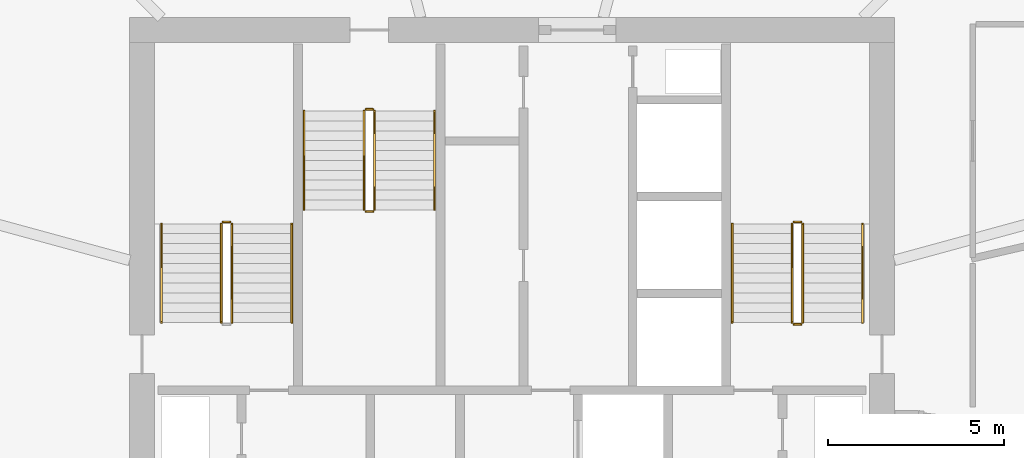
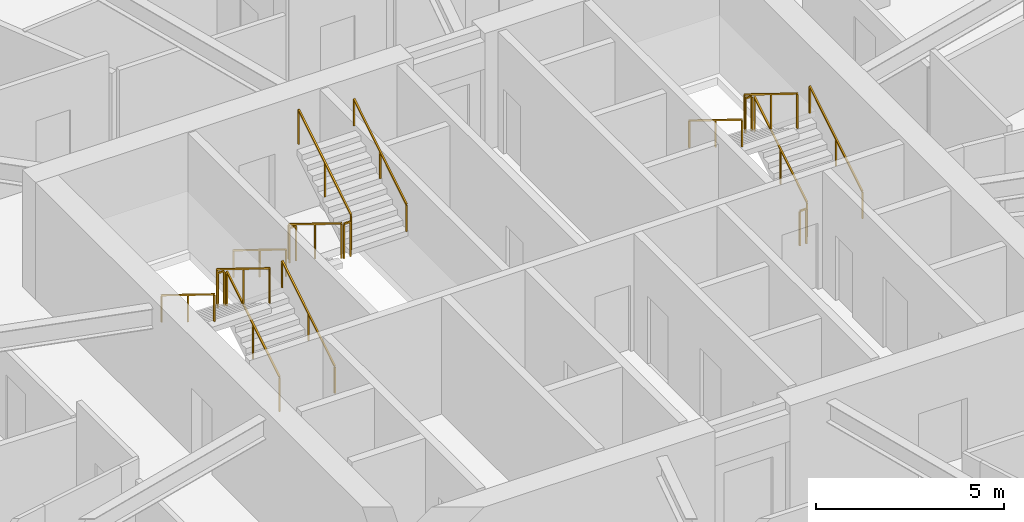
# One storey, part 26 of 27: 17 railings.
"""IFC4 building model written with IfcOpenShell, lengths in metres."""

from ifc_helpers import new_model, si_unit, direction, frame, origin, origin_2d, place, context, subcontext, project, spatial, rectangle, extrude, material, type_object, element, save


model = new_model("IFC4")

# Units and contexts
model_context = context("Model", 3, precision=1e-05, world=origin(), true_north=direction((0.0, 1.0)))
body_context = subcontext(model_context, "Body", "Model", "MODEL_VIEW")
ifc_project = project(units=[si_unit("LENGTHUNIT", "METRE"), si_unit("AREAUNIT", "SQUARE_METRE"), si_unit("VOLUMEUNIT", "CUBIC_METRE"), si_unit("PLANEANGLEUNIT", "RADIAN"), si_unit("MASSUNIT", "GRAM", prefix="KILO")], contexts=[model_context])

# Site, building, storey
site_placement = place(None, origin())
site = spatial("IfcSite", under=ifc_project, at=site_placement, CompositionType="ELEMENT")
building_placement = place(site_placement, origin())
building = spatial("IfcBuilding", under=site, at=building_placement, Name="Zuhravey Tower", CompositionType="ELEMENT")
storey_placement = place(building_placement, frame((0.0, 0.0, 215.0)))
storey = spatial("IfcBuildingStorey", under=building, at=storey_placement, Name="L54", CompositionType="ELEMENT", Elevation=215.0)

# Railings
ifc_material_1 = material(Name="Brushed stainless steel", Category="steel")
railing_type_1 = type_object("IfcRailingType", Name="Stair Wall Handrail 900", PredefinedType="HANDRAIL", material=ifc_material_1)
railing_1_placement = place(storey_placement, frame((29.75, 33.199951171875, 0.172607421875)))
element("IfcRailing", 1, at=railing_1_placement, inside=storey, type_object=railing_type_1, Name="L54 ST1 stair handrail 1", PredefinedType="HANDRAIL", context=body_context, shape_type="SweptSolid", body=[
    extrude(rectangle(XDim=0.048095703125, YDim=0.048095703125, at=origin_2d()), frame((0.0, 0.001708984375, 0.876953125), z_axis=(0.0, 0.851089632645, 0.525020415988), x_axis=(-1.0, 0.0, 0.0)), (0.0, 0.0, 1.0), 3.285888671875),
    extrude(rectangle(XDim=0.0419921875, YDim=0.0419921875, at=origin_2d()), origin(), (0.0, 0.0, 1.0), 0.849853515625),
    extrude(rectangle(XDim=0.0419921875, YDim=0.0419921875, at=origin_2d()), frame((0.0, 1.39990234375, 0.86376953125)), (0.0, 0.0, 1.0), 0.849853515625),
    extrude(rectangle(XDim=0.0419921875, YDim=0.0419921875, at=origin_2d()), frame((0.0, 2.800048828125, 1.727294921875)), (0.0, 0.0, 1.0), 0.849853515625),
])
railing_2_placement = place(storey_placement, frame((26.050048828125, 36.0, 2.07275390625)))
element("IfcRailing", 2, at=railing_2_placement, inside=storey, type_object=railing_type_1, Name="L54 ST1 stair handrail 2", PredefinedType="HANDRAIL", context=body_context, shape_type="SweptSolid", body=[
    extrude(rectangle(XDim=0.048095703125, YDim=0.048095703125, at=origin_2d()), frame((0.0, -0.001708984375, 0.876953125), z_axis=(0.0, -0.851089632645, 0.525020415988), x_axis=(1.0, 0.0, 0.0)), (0.0, 0.0, 1.0), 3.285888671875),
    extrude(rectangle(XDim=0.0419921875, YDim=0.0419921875, at=origin_2d()), origin(), (0.0, 0.0, 1.0), 0.849853515625),
    extrude(rectangle(XDim=0.0419921875, YDim=0.0419921875, at=origin_2d()), frame((0.0, -1.39990234375, 0.86376953125)), (0.0, 0.0, 1.0), 0.849853515625),
    extrude(rectangle(XDim=0.0419921875, YDim=0.0419921875, at=origin_2d()), frame((0.0, -2.800048828125, 1.727294921875)), (0.0, 0.0, 1.0), 0.849853515625),
])
railing_3_placement = place(storey_placement, frame((45.949951171875, 33.199951171875, 0.172607421875)))
element("IfcRailing", 3, at=railing_3_placement, inside=storey, type_object=railing_type_1, Name="L54 ST2 stair handrail 1", PredefinedType="HANDRAIL", context=body_context, shape_type="SweptSolid", body=[
    extrude(rectangle(XDim=0.048095703125, YDim=0.048095703125, at=origin_2d()), frame((0.0, 0.001708984375, 0.876953125), z_axis=(0.0, 0.851089632645, 0.525020415988), x_axis=(-1.0, 0.0, 0.0)), (0.0, 0.0, 1.0), 3.285888671875),
    extrude(rectangle(XDim=0.0419921875, YDim=0.0419921875, at=origin_2d()), origin(), (0.0, 0.0, 1.0), 0.849853515625),
    extrude(rectangle(XDim=0.0419921875, YDim=0.0419921875, at=origin_2d()), frame((0.0, 1.39990234375, 0.86376953125)), (0.0, 0.0, 1.0), 0.849853515625),
    extrude(rectangle(XDim=0.0419921875, YDim=0.0419921875, at=origin_2d()), frame((0.0, 2.800048828125, 1.727294921875)), (0.0, 0.0, 1.0), 0.849853515625),
])
for number, where, name in (
    (4, (42.25, 36.0, 2.07275390625), "L54 ST2 stair handrail 2"),
    (5, (30.10009765625, 39.199951171875, 0.172607421875), "L54 ST3 stair handrail 1"),
):
    element("IfcRailing", number, at=place(storey_placement, frame(where)), inside=storey, type_object=railing_type_1, Name=name, PredefinedType="HANDRAIL", context=body_context, shape_type="SweptSolid", body=[
        extrude(rectangle(XDim=0.048095703125, YDim=0.048095703125, at=origin_2d()), frame((0.0, -0.001708984375, 0.876953125), z_axis=(0.0, -0.851089632645, 0.525020415988), x_axis=(1.0, 0.0, 0.0)), (0.0, 0.0, 1.0), 3.285888671875),
        extrude(rectangle(XDim=0.0419921875, YDim=0.0419921875, at=origin_2d()), origin(), (0.0, 0.0, 1.0), 0.849853515625),
        extrude(rectangle(XDim=0.0419921875, YDim=0.0419921875, at=origin_2d()), frame((0.0, -1.39990234375, 0.86376953125)), (0.0, 0.0, 1.0), 0.849853515625),
        extrude(rectangle(XDim=0.0419921875, YDim=0.0419921875, at=origin_2d()), frame((0.0, -2.800048828125, 1.727294921875)), (0.0, 0.0, 1.0), 0.849853515625),
    ])
railing_4_placement = place(storey_placement, frame((33.800048828125, 36.39990234375, 2.07275390625)))
element("IfcRailing", 6, at=railing_4_placement, inside=storey, type_object=railing_type_1, Name="L54 ST3 stair handrail 2", PredefinedType="HANDRAIL", context=body_context, shape_type="SweptSolid", body=[
    extrude(rectangle(XDim=0.048095703125, YDim=0.048095703125, at=origin_2d()), frame((0.0, 0.001708984375, 0.876953125), z_axis=(0.0, 0.851089632645, 0.525020415988), x_axis=(-1.0, 0.0, 0.0)), (0.0, 0.0, 1.0), 3.285888671875),
    extrude(rectangle(XDim=0.0419921875, YDim=0.0419921875, at=origin_2d()), origin(), (0.0, 0.0, 1.0), 0.849853515625),
    extrude(rectangle(XDim=0.0419921875, YDim=0.0419921875, at=origin_2d()), frame((0.0, 1.39990234375, 0.86376953125)), (0.0, 0.0, 1.0), 0.849853515625),
    extrude(rectangle(XDim=0.0419921875, YDim=0.0419921875, at=origin_2d()), frame((0.0, 2.800048828125, 1.727294921875)), (0.0, 0.0, 1.0), 0.849853515625),
])
ifc_material_2 = material(Name="Painted tubular steel", Category="steel")
railing_type_2 = type_object("IfcRailingType", Name="Stair Well Guardrail 1150", PredefinedType="GUARDRAIL", material=ifc_material_2)
railing_5_placement = place(storey_placement, frame((28.050048828125, 33.199951171875, 0.172607421875)))
element("IfcRailing", 7, at=railing_5_placement, inside=storey, type_object=railing_type_2, Name="L54 ST1 stair guard 1", PredefinedType="GUARDRAIL", context=body_context, shape_type="SweptSolid", body=[
    extrude(rectangle(XDim=0.048095703125, YDim=0.048095703125, at=origin_2d()), frame((0.0, 0.001708984375, 1.126953125), z_axis=(0.0, 0.851089632645, 0.525020415988), x_axis=(-1.0, 0.0, 0.0)), (0.0, 0.0, 1.0), 3.285888671875),
    extrude(rectangle(XDim=0.0419921875, YDim=0.0419921875, at=origin_2d()), origin(), (0.0, 0.0, 1.0), 1.099853515625),
    extrude(rectangle(XDim=0.0419921875, YDim=0.0419921875, at=origin_2d()), frame((0.0, 1.39990234375, 0.86376953125)), (0.0, 0.0, 1.0), 1.099853515625),
    extrude(rectangle(XDim=0.0419921875, YDim=0.0419921875, at=origin_2d()), frame((0.0, 2.800048828125, 1.727294921875)), (0.0, 0.0, 1.0), 1.099853515625),
])
railing_6_placement = place(storey_placement, frame((28.0, 36.050048828125, 1.89990234375)))
element("IfcRailing", 8, at=railing_6_placement, inside=storey, type_object=railing_type_2, Name="L54 ST1 stair guard 2", PredefinedType="GUARDRAIL", context=body_context, shape_type="SweptSolid", body=[
    extrude(rectangle(XDim=0.048095703125, YDim=0.048095703125, at=origin_2d()), frame((-0.001953125, 0.0, 1.1259765625), z_axis=(-1.0, 0.0, 0.0), x_axis=(0.0, -1.0, 0.0)), (0.0, 0.0, 1.0), 0.196044921875),
    extrude(rectangle(XDim=0.0419921875, YDim=0.0419921875, at=origin_2d()), origin(), (0.0, 0.0, 1.0), 1.099853515625),
    extrude(rectangle(XDim=0.0419921875, YDim=0.0419921875, at=origin_2d()), frame((-0.199951171875, 0.0, 0.0)), (0.0, 0.0, 1.0), 1.099853515625),
])
railing_7_placement = place(storey_placement, frame((27.75, 36.0, 2.07275390625)))
element("IfcRailing", 9, at=railing_7_placement, inside=storey, type_object=railing_type_2, Name="L54 ST1 stair guard 3", PredefinedType="GUARDRAIL", context=body_context, shape_type="SweptSolid", body=[
    extrude(rectangle(XDim=0.048095703125, YDim=0.048095703125, at=origin_2d()), frame((0.0, -0.001708984375, 1.126953125), z_axis=(0.0, -0.851089632645, 0.525020415988), x_axis=(1.0, 0.0, 0.0)), (0.0, 0.0, 1.0), 3.285888671875),
    extrude(rectangle(XDim=0.0419921875, YDim=0.0419921875, at=origin_2d()), origin(), (0.0, 0.0, 1.0), 1.099853515625),
    extrude(rectangle(XDim=0.0419921875, YDim=0.0419921875, at=origin_2d()), frame((0.0, -1.39990234375, 0.86376953125)), (0.0, 0.0, 1.0), 1.099853515625),
    extrude(rectangle(XDim=0.0419921875, YDim=0.0419921875, at=origin_2d()), frame((0.0, -2.800048828125, 1.727294921875)), (0.0, 0.0, 1.0), 1.099853515625),
])
railing_8_placement = place(storey_placement, frame((44.25, 33.199951171875, 0.172607421875)))
element("IfcRailing", 10, at=railing_8_placement, inside=storey, type_object=railing_type_2, Name="L54 ST2 stair guard 1", PredefinedType="GUARDRAIL", context=body_context, shape_type="SweptSolid", body=[
    extrude(rectangle(XDim=0.048095703125, YDim=0.048095703125, at=origin_2d()), frame((0.0, 0.001708984375, 1.126953125), z_axis=(0.0, 0.851089632645, 0.525020415988), x_axis=(-1.0, 0.0, 0.0)), (0.0, 0.0, 1.0), 3.285888671875),
    extrude(rectangle(XDim=0.0419921875, YDim=0.0419921875, at=origin_2d()), origin(), (0.0, 0.0, 1.0), 1.099853515625),
    extrude(rectangle(XDim=0.0419921875, YDim=0.0419921875, at=origin_2d()), frame((0.0, 1.39990234375, 0.86376953125)), (0.0, 0.0, 1.0), 1.099853515625),
    extrude(rectangle(XDim=0.0419921875, YDim=0.0419921875, at=origin_2d()), frame((0.0, 2.800048828125, 1.727294921875)), (0.0, 0.0, 1.0), 1.099853515625),
])
railing_9_placement = place(storey_placement, frame((44.199951171875, 36.050048828125, 1.89990234375)))
element("IfcRailing", 11, at=railing_9_placement, inside=storey, type_object=railing_type_2, Name="L54 ST2 stair guard 2", PredefinedType="GUARDRAIL", context=body_context, shape_type="SweptSolid", body=[
    extrude(rectangle(XDim=0.048095703125, YDim=0.048095703125, at=origin_2d()), frame((-0.001953125, 0.0, 1.1259765625), z_axis=(-1.0, 0.0, 0.0), x_axis=(0.0, -1.0, 0.0)), (0.0, 0.0, 1.0), 0.196044921875),
    extrude(rectangle(XDim=0.0419921875, YDim=0.0419921875, at=origin_2d()), origin(), (0.0, 0.0, 1.0), 1.099853515625),
    extrude(rectangle(XDim=0.0419921875, YDim=0.0419921875, at=origin_2d()), frame((-0.199951171875, 0.0, 0.0)), (0.0, 0.0, 1.0), 1.099853515625),
])
railing_10_placement = place(storey_placement, frame((43.949951171875, 36.0, 2.07275390625)))
element("IfcRailing", 12, at=railing_10_placement, inside=storey, type_object=railing_type_2, Name="L54 ST2 stair guard 3", PredefinedType="GUARDRAIL", context=body_context, shape_type="SweptSolid", body=[
    extrude(rectangle(XDim=0.048095703125, YDim=0.048095703125, at=origin_2d()), frame((0.0, -0.001708984375, 1.126953125), z_axis=(0.0, -0.851089632645, 0.525020415988), x_axis=(1.0, 0.0, 0.0)), (0.0, 0.0, 1.0), 3.285888671875),
    extrude(rectangle(XDim=0.0419921875, YDim=0.0419921875, at=origin_2d()), origin(), (0.0, 0.0, 1.0), 1.099853515625),
    extrude(rectangle(XDim=0.0419921875, YDim=0.0419921875, at=origin_2d()), frame((0.0, -1.39990234375, 0.86376953125)), (0.0, 0.0, 1.0), 1.099853515625),
    extrude(rectangle(XDim=0.0419921875, YDim=0.0419921875, at=origin_2d()), frame((0.0, -2.800048828125, 1.727294921875)), (0.0, 0.0, 1.0), 1.099853515625),
])
railing_11_placement = place(storey_placement, frame((44.199951171875, 33.14990234375, 0.0)))
element("IfcRailing", 13, at=railing_11_placement, inside=storey, type_object=railing_type_2, Name="L54 ST2 stair guard 4", PredefinedType="GUARDRAIL", context=body_context, shape_type="SweptSolid", body=[
    extrude(rectangle(XDim=0.048095703125, YDim=0.048095703125, at=origin_2d()), frame((-0.001953125, 0.0, 1.1259765625), z_axis=(-1.0, 0.0, 0.0), x_axis=(0.0, -1.0, 0.0)), (0.0, 0.0, 1.0), 0.196044921875),
    extrude(rectangle(XDim=0.0419921875, YDim=0.0419921875, at=origin_2d()), origin(), (0.0, 0.0, 1.0), 1.099853515625),
    extrude(rectangle(XDim=0.0419921875, YDim=0.0419921875, at=origin_2d()), frame((-0.199951171875, 0.0, 0.0)), (0.0, 0.0, 1.0), 1.099853515625),
])
railing_12_placement = place(storey_placement, frame((31.800048828125, 39.199951171875, 0.172607421875)))
element("IfcRailing", 14, at=railing_12_placement, inside=storey, type_object=railing_type_2, Name="L54 ST3 stair guard 1", PredefinedType="GUARDRAIL", context=body_context, shape_type="SweptSolid", body=[
    extrude(rectangle(XDim=0.048095703125, YDim=0.048095703125, at=origin_2d()), frame((0.0, -0.001708984375, 1.126953125), z_axis=(0.0, -0.851089632645, 0.525020415988), x_axis=(1.0, 0.0, 0.0)), (0.0, 0.0, 1.0), 3.285888671875),
    extrude(rectangle(XDim=0.0419921875, YDim=0.0419921875, at=origin_2d()), origin(), (0.0, 0.0, 1.0), 1.099853515625),
    extrude(rectangle(XDim=0.0419921875, YDim=0.0419921875, at=origin_2d()), frame((0.0, -1.39990234375, 0.86376953125)), (0.0, 0.0, 1.0), 1.099853515625),
    extrude(rectangle(XDim=0.0419921875, YDim=0.0419921875, at=origin_2d()), frame((0.0, -2.800048828125, 1.727294921875)), (0.0, 0.0, 1.0), 1.099853515625),
])
railing_13_placement = place(storey_placement, frame((31.85009765625, 36.35009765625, 1.89990234375)))
element("IfcRailing", 15, at=railing_13_placement, inside=storey, type_object=railing_type_2, Name="L54 ST3 stair guard 2", PredefinedType="GUARDRAIL", context=body_context, shape_type="SweptSolid", body=[
    extrude(rectangle(XDim=0.048095703125, YDim=0.048095703125, at=origin_2d()), frame((0.001953125, 0.0, 1.1259765625), z_axis=(1.0, 0.0, 0.0), x_axis=(0.0, 1.0, 0.0)), (0.0, 0.0, 1.0), 0.196044921875),
    extrude(rectangle(XDim=0.0419921875, YDim=0.0419921875, at=origin_2d()), origin(), (0.0, 0.0, 1.0), 1.099853515625),
    extrude(rectangle(XDim=0.0419921875, YDim=0.0419921875, at=origin_2d()), frame((0.199951171875, 0.0, 0.0)), (0.0, 0.0, 1.0), 1.099853515625),
])
railing_14_placement = place(storey_placement, frame((32.10009765625, 36.39990234375, 2.07275390625)))
element("IfcRailing", 16, at=railing_14_placement, inside=storey, type_object=railing_type_2, Name="L54 ST3 stair guard 3", PredefinedType="GUARDRAIL", context=body_context, shape_type="SweptSolid", body=[
    extrude(rectangle(XDim=0.048095703125, YDim=0.048095703125, at=origin_2d()), frame((0.0, 0.001708984375, 1.126953125), z_axis=(0.0, 0.851089632645, 0.525020415988), x_axis=(-1.0, 0.0, 0.0)), (0.0, 0.0, 1.0), 3.285888671875),
    extrude(rectangle(XDim=0.0419921875, YDim=0.0419921875, at=origin_2d()), origin(), (0.0, 0.0, 1.0), 1.099853515625),
    extrude(rectangle(XDim=0.0419921875, YDim=0.0419921875, at=origin_2d()), frame((0.0, 1.39990234375, 0.86376953125)), (0.0, 0.0, 1.0), 1.099853515625),
    extrude(rectangle(XDim=0.0419921875, YDim=0.0419921875, at=origin_2d()), frame((0.0, 2.800048828125, 1.727294921875)), (0.0, 0.0, 1.0), 1.099853515625),
])
railing_15_placement = place(storey_placement, frame((31.85009765625, 39.25, 0.0)))
element("IfcRailing", 17, at=railing_15_placement, inside=storey, type_object=railing_type_2, Name="L54 ST3 stair guard 4", PredefinedType="GUARDRAIL", context=body_context, shape_type="SweptSolid", body=[
    extrude(rectangle(XDim=0.048095703125, YDim=0.048095703125, at=origin_2d()), frame((0.001953125, 0.0, 1.1259765625), z_axis=(1.0, 0.0, 0.0), x_axis=(0.0, 1.0, 0.0)), (0.0, 0.0, 1.0), 0.196044921875),
    extrude(rectangle(XDim=0.0419921875, YDim=0.0419921875, at=origin_2d()), origin(), (0.0, 0.0, 1.0), 1.099853515625),
    extrude(rectangle(XDim=0.0419921875, YDim=0.0419921875, at=origin_2d()), frame((0.199951171875, 0.0, 0.0)), (0.0, 0.0, 1.0), 1.099853515625),
])

save(model, "model.ifc")
